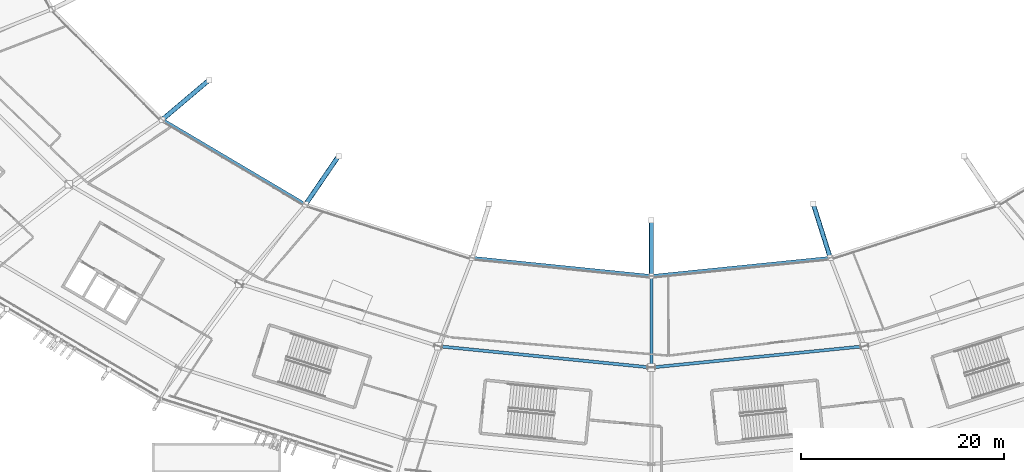
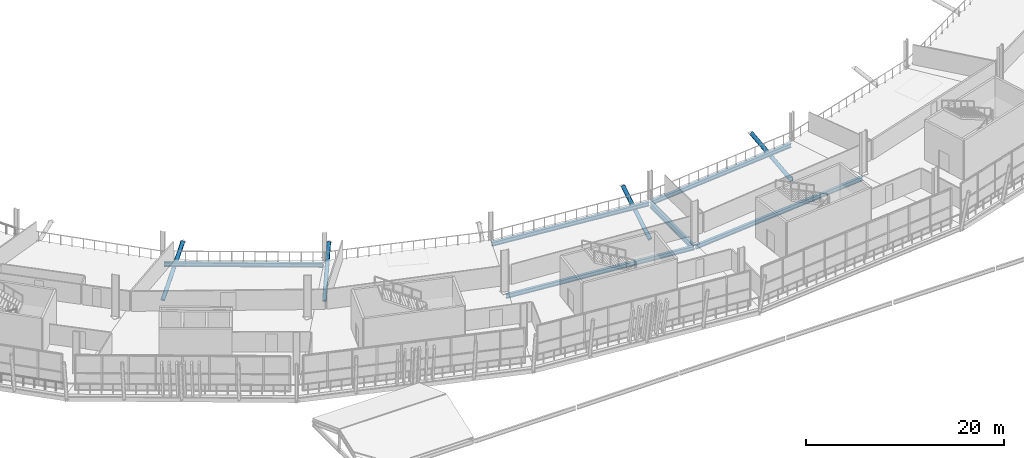
# One storey, part 34 of 168: 6 beams, 4 members.
"""IFC4 building model written with IfcOpenShell, lengths in metres."""

from ifc_helpers import new_model, si_unit, direction, frame, origin, origin_2d, place, context, subcontext, project, spatial, hollow_circle, i_section, extrude, material, material_profile, profile_set, type_object, element, save


model = new_model("IFC4")

# Units and contexts
model_context = context("Model", 3, precision=1e-05, world=origin(), true_north=direction((0.0, 1.0)))
body_context = subcontext(model_context, "Body", "Model", "MODEL_VIEW")
ifc_project = project(units=[si_unit("LENGTHUNIT", "METRE"), si_unit("AREAUNIT", "SQUARE_METRE"), si_unit("VOLUMEUNIT", "CUBIC_METRE"), si_unit("PLANEANGLEUNIT", "RADIAN"), si_unit("MASSUNIT", "GRAM", prefix="KILO")], contexts=[model_context])

# Site, building, storey
site_placement = place(None, origin())
site = spatial("IfcSite", under=ifc_project, at=site_placement, CompositionType="ELEMENT")
building_placement = place(site_placement, origin())
building = spatial("IfcBuilding", under=site, at=building_placement, Name="Zlatoyarsky Gate Stadium", CompositionType="ELEMENT")
storey_placement = place(building_placement, frame((0.0, 0.0, 15.60009765625)))
storey = spatial("IfcBuildingStorey", under=building, at=storey_placement, Name="L03", CompositionType="ELEMENT", Elevation=15.60009765625)

# Members
ifc_material = material(Name="Steel S355", Category="steel")
ifc_material_profile_1 = material_profile(ifc_material, hollow_circle(Radius=0.228515625, WallThickness=0.02490234375, at=origin_2d()), Name="CHS 457X25")
ifc_profile_set_1 = profile_set([ifc_material_profile_1], Name="Steel S355")
member_type = type_object("IfcMemberType", Name="STEEL BACKSPAN TIE STRUT CHS 457X25", PredefinedType="STRUT", material=ifc_profile_set_1)
member_1_placement = place(storey_placement, frame((62.916748046875, 42.876953125, -5.0), z_axis=(0.671760825652, 0.568423985586, 0.475006911244), x_axis=(-0.645949512336, 0.763380133035, 0.0)))
element("IfcMember", 1, at=member_1_placement, inside=storey, type_object=member_type, Name="Upper tier cantilever strut 15", PredefinedType="STRUT", context=body_context, shape_type="SweptSolid", body=[
    extrude(hollow_circle(Radius=0.228515625, WallThickness=0.02490234375, at=origin_2d()), origin(), (0.0, 0.0, 1.0), 6.842041015625),
])
member_2_placement = place(storey_placement, frame((77.0, 34.53369140625, -5.0), z_axis=(0.491000881553, 0.719608413394, 0.491000881553), x_axis=(-0.826035604604, 0.563617937903, 0.0)))
element("IfcMember", 2, at=member_2_placement, inside=storey, type_object=member_type, Name="Upper tier cantilever strut 16", PredefinedType="STRUT", context=body_context, shape_type="SweptSolid", body=[
    extrude(hollow_circle(Radius=0.228515625, WallThickness=0.02490234375, at=origin_2d()), origin(), (0.0, 0.0, 1.0), 6.619140625),
])
member_3_placement = place(storey_placement, frame((111.0, 27.5, -5.0), z_axis=(0.0, 0.860926528214, 0.508729312127), x_axis=(-1.0, 0.0, 0.0)))
element("IfcMember", 3, at=member_3_placement, inside=storey, type_object=member_type, Name="Upper tier cantilever strut 18", PredefinedType="STRUT", context=body_context, shape_type="SweptSolid", body=[
    extrude(hollow_circle(Radius=0.228515625, WallThickness=0.02490234375, at=origin_2d()), origin(), (0.0, 0.0, 1.0), 6.388427734375),
])
member_4_placement = place(storey_placement, frame((128.599609375, 29.288818359375, -5.0), z_axis=(-0.260748778035, 0.823534711005, 0.503786318317), x_axis=(-0.953354623254, -0.301852550628, 0.0)))
element("IfcMember", 4, at=member_4_placement, inside=storey, type_object=member_type, Name="Upper tier cantilever strut 19", PredefinedType="STRUT", context=body_context, shape_type="SweptSolid", body=[
    extrude(hollow_circle(Radius=0.228515625, WallThickness=0.02490234375, at=origin_2d()), origin(), (0.0, 0.0, 1.0), 6.451171875),
])

# Beams
ifc_material_profile_2 = material_profile(ifc_material, i_section(OverallWidth=0.300048828125, OverallDepth=0.5, WebThickness=0.014404296875, FlangeThickness=0.028076171875, FilletRadius=0.027099609375, at=origin_2d()), Name="HEB 500")
ifc_profile_set_2 = profile_set([ifc_material_profile_2], Name="Steel S355")
beam_type_1 = type_object("IfcBeamType", Name="STEEL PRIMARY GIRDER HEB 500", PredefinedType="BEAM", material=ifc_profile_set_2)
beam_1_placement = place(storey_placement, frame((63.02001953125, 42.815673828125, -0.530029296875), z_axis=(0.860360371321, -0.50968620882, 0.0), x_axis=(0.50968620882, 0.860360371321, 0.0)))
element("IfcBeam", 5, at=beam_1_placement, inside=storey, type_object=beam_type_1, Name="Beam G-HEB500 BM-L03-CRA-15", PredefinedType="BEAM", context=body_context, shape_type="SweptSolid", body=[
    extrude(i_section(OverallWidth=0.300048828125, OverallDepth=0.5, WebThickness=0.014404296875, FlangeThickness=0.028076171875, FilletRadius=0.027099609375, at=origin_2d()), origin(), (0.0, 0.0, 1.0), 16.12890625),
])
beam_2_placement = place(storey_placement, frame((93.519775390625, 29.27685546875, -0.530029296875), z_axis=(0.994873800639, -0.101124283941, 0.0), x_axis=(0.101124283941, 0.994873800639, 0.0)))
element("IfcBeam", 6, at=beam_2_placement, inside=storey, type_object=beam_type_1, Name="Beam G-HEB500 BM-L03-CRA-17", PredefinedType="BEAM", context=body_context, shape_type="SweptSolid", body=[
    extrude(i_section(OverallWidth=0.300048828125, OverallDepth=0.5, WebThickness=0.014404296875, FlangeThickness=0.028076171875, FilletRadius=0.027099609375, at=origin_2d()), origin(), (0.0, 0.0, 1.0), 17.4501953125),
])
beam_3_placement = place(storey_placement, frame((90.155029296875, 20.583740234375, -0.530029296875), z_axis=(0.995040903182, -0.099466582298, 0.0), x_axis=(0.099466582298, 0.995040903182, 0.0)))
element("IfcBeam", 7, at=beam_3_placement, inside=storey, type_object=beam_type_1, Name="Beam G-HEB500 BM-L03-CRB-17", PredefinedType="BEAM", context=body_context, shape_type="SweptSolid", body=[
    extrude(i_section(OverallWidth=0.300048828125, OverallDepth=0.5, WebThickness=0.014404296875, FlangeThickness=0.028076171875, FilletRadius=0.027099609375, at=origin_2d()), origin(), (0.0, 0.0, 1.0), 20.828857421875),
])
beam_4_placement = place(storey_placement, frame((111.119384765625, 27.51220703125, -0.530029296875), z_axis=(0.994873800639, 0.101124283941, 0.0), x_axis=(-0.101124283941, 0.994873800639, 0.0)))
element("IfcBeam", 8, at=beam_4_placement, inside=storey, type_object=beam_type_1, Name="Beam G-HEB500 BM-L03-CRA-18", PredefinedType="BEAM", context=body_context, shape_type="SweptSolid", body=[
    extrude(i_section(OverallWidth=0.300048828125, OverallDepth=0.5, WebThickness=0.014404296875, FlangeThickness=0.028076171875, FilletRadius=0.027099609375, at=origin_2d()), origin(), (0.0, 0.0, 1.0), 17.4501953125),
])
beam_5_placement = place(storey_placement, frame((111.119384765625, 18.511962890625, -0.530029296875), z_axis=(0.995040903182, 0.099466582298, 0.0), x_axis=(-0.099466582298, 0.995040903182, 0.0)))
element("IfcBeam", 9, at=beam_5_placement, inside=storey, type_object=beam_type_1, Name="Beam G-HEB500 BM-L03-CRB-18", PredefinedType="BEAM", context=body_context, shape_type="SweptSolid", body=[
    extrude(i_section(OverallWidth=0.300048828125, OverallDepth=0.5, WebThickness=0.014404296875, FlangeThickness=0.028076171875, FilletRadius=0.027099609375, at=origin_2d()), origin(), (0.0, 0.0, 1.0), 20.828857421875),
])
ifc_material_profile_3 = material_profile(ifc_material, i_section(OverallWidth=0.300048828125, OverallDepth=0.699951171875, WebThickness=0.01708984375, FlangeThickness=0.031982421875, FilletRadius=0.027099609375, at=origin_2d()), Name="HEB 700")
ifc_profile_set_3 = profile_set([ifc_material_profile_3], Name="Steel S355")
beam_type_2 = type_object("IfcBeamType", Name="STEEL PRIMARY GIRDER HEB 700", PredefinedType="BEAM", material=ifc_profile_set_3)
beam_6_placement = place(storey_placement, frame((111.0, 27.3798828125, -0.630126953125), z_axis=(0.0, -1.0, 0.0), x_axis=(1.0, 0.0, 0.0)))
element("IfcBeam", 10, at=beam_6_placement, inside=storey, type_object=beam_type_2, Name="Beam G-HEB700 BM-L03-RAB-18", PredefinedType="BEAM", context=body_context, shape_type="SweptSolid", body=[
    extrude(i_section(OverallWidth=0.300048828125, OverallDepth=0.699951171875, WebThickness=0.01708984375, FlangeThickness=0.031982421875, FilletRadius=0.027099609375, at=origin_2d()), origin(), (0.0, 0.0, 1.0), 8.759765625),
])

save(model, "model.ifc")
